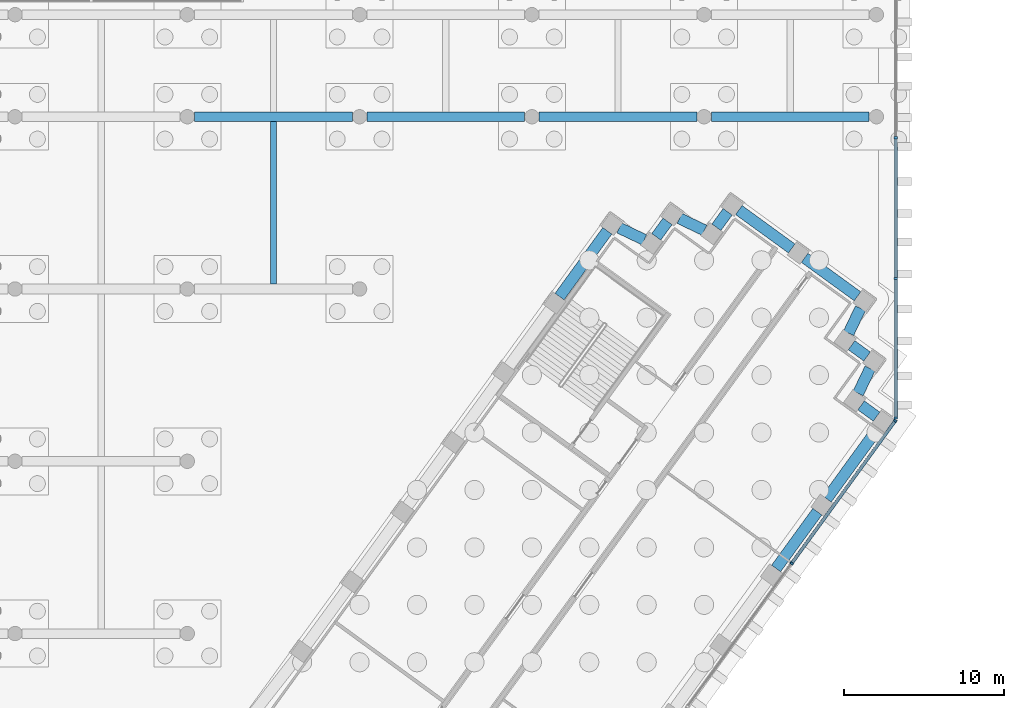
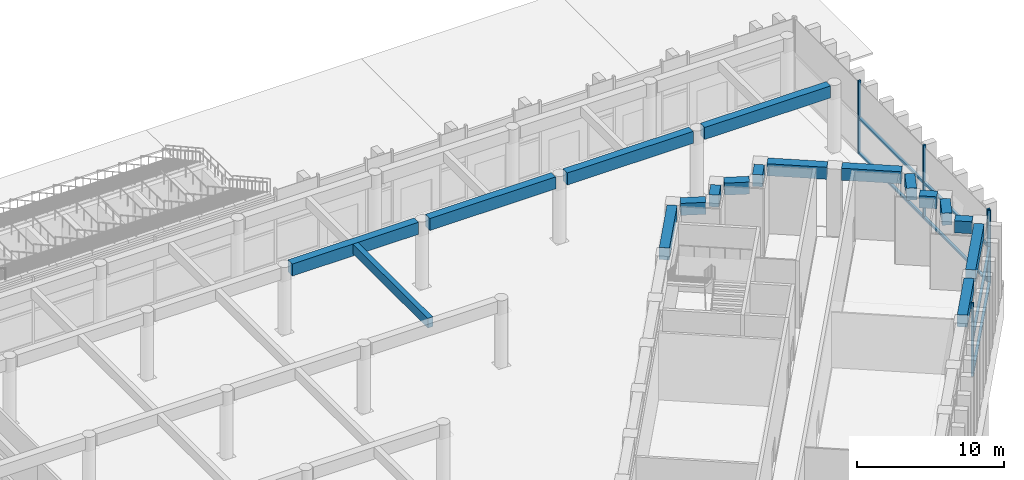
# One storey, part 9 of 32: 18 beams, 11 members, 2 elements without a shape of their own.
"""IFC4 building model written with IfcOpenShell, lengths in metres."""

import ifcopenshell
import ifcopenshell.guid

model = None  # the IFC model being written
_history = None  # IfcOwnerHistory: only IFC2X3 demands one
_inside = {}  # id of a spatial element -> (the spatial element, [elements in it])
_under = {}  # id of a project, library or spatial element -> (it, [spatial elements below it])
_declared = {}  # id of a project -> (the project, [libraries it declares])
_typed = {}  # id of a type object -> (the type object, [elements of that type])
_made_of = {}  # id of a material, layer set ... -> (it, [elements and type objects made of it])


def new_model(schema):
    """Start an empty IFC model of exactly this schema.

    Asked for "IFC4X3", IfcOpenShell would pick the latest addendum, in which some entities
    have other attributes; the version numbers below select the first issue.
    IFC2X3 requires an IfcOwnerHistory on every rooted entity: one is made here for all.
    """
    global model, _history
    if schema == "IFC4X3":
        model = ifcopenshell.file(schema_version=(4, 3, 0, 0))
    else:
        model = ifcopenshell.file(schema=schema)
    _inside.clear()
    _under.clear()
    _declared.clear()
    _typed.clear()
    _made_of.clear()
    _history = None
    if model.schema == "IFC2X3":
        org = make("IfcOrganization", Name="unknown")
        user = make(
            "IfcPersonAndOrganization",
            ThePerson=make("IfcPerson", FamilyName="unknown"),
            TheOrganization=org,
        )
        app = make(
            "IfcApplication",
            ApplicationDeveloper=org,
            Version="unknown",
            ApplicationFullName="unknown",
            ApplicationIdentifier="unknown",
        )
        _history = make(
            "IfcOwnerHistory",
            OwningUser=user,
            OwningApplication=app,
            ChangeAction="ADDED",
            CreationDate=0,
        )
    return model


def make(cls, **values):
    """One entity of the class cls with the attributes given. An attribute that is None is left unset."""
    return model.create_entity(
        cls, **{name: value for name, value in values.items() if value is not None}
    )


def rooted(cls, **values):
    """An entity with a GlobalId (a new one), such as an element, a storey or a relation."""
    return make(cls, GlobalId=ifcopenshell.guid.new(), OwnerHistory=_history, **values)


def si_unit(unit_type, name, prefix=None):
    """IfcSIUnit, for example si_unit("LENGTHUNIT", "METRE", prefix="MILLI")."""
    return make("IfcSIUnit", UnitType=unit_type, Prefix=prefix, Name=name)


def assignment(units):
    """IfcUnitAssignment: the units of a project."""
    return None if units is None else make("IfcUnitAssignment", Units=units)


def point(xyz):
    """IfcCartesianPoint."""
    return None if xyz is None else make("IfcCartesianPoint", Coordinates=xyz)


def direction(xyz):
    """IfcDirection."""
    return None if xyz is None else make("IfcDirection", DirectionRatios=xyz)


def frame(location, z_axis=None, x_axis=None):
    """IfcAxis2Placement3D, a coordinate frame: its origin and axes. An axis left out is left unset."""
    return make(
        "IfcAxis2Placement3D",
        Location=point(location),
        Axis=direction(z_axis),
        RefDirection=direction(x_axis),
    )


def frame_2d(location, x_axis=None):
    """IfcAxis2Placement2D, a coordinate frame in the plane: its origin and x axis."""
    return make(
        "IfcAxis2Placement2D", Location=point(location), RefDirection=direction(x_axis)
    )


def origin():
    """The frame at (0, 0, 0) with its axes left unset."""
    return frame((0.0, 0.0, 0.0))


def origin_2d():
    """The frame at (0, 0) in the plane with its x axis left unset."""
    return frame_2d((0.0, 0.0))


def place(relative_to, where):
    """IfcLocalPlacement: puts the frame where relative to a parent placement (None: the world)."""
    return make(
        "IfcLocalPlacement", PlacementRelTo=relative_to, RelativePlacement=where
    )


def context(
    kind, dimensions, precision=None, world=None, true_north=None, identifier=None
):
    """IfcGeometricRepresentationContext, for example the 3D "Model" context."""
    return make(
        "IfcGeometricRepresentationContext",
        ContextIdentifier=identifier,
        ContextType=kind,
        CoordinateSpaceDimension=dimensions,
        Precision=precision,
        WorldCoordinateSystem=world,
        TrueNorth=true_north,
    )


def subcontext(parent, identifier, kind, view, scale=None):
    """IfcGeometricRepresentationSubContext, for example "Body" below "Model"."""
    return make(
        "IfcGeometricRepresentationSubContext",
        ContextIdentifier=identifier,
        ContextType=kind,
        ParentContext=parent,
        TargetScale=scale,
        TargetView=view,
    )


def project(units=None, contexts=None):
    """IfcProject with its units and contexts."""
    return rooted(
        "IfcProject",
        Name="project",
        RepresentationContexts=contexts,
        UnitsInContext=assignment(units),
    )


def spatial(cls, under=None, at=None, **own):
    """A site, building, storey or space (cls), placed at a placement, below another one or the project."""
    s = rooted(cls, ObjectPlacement=at, **own)
    if under is not None:
        _under.setdefault(under.id(), (under, []))[1].append(s)
    return s


def profile(cls, at=None, kind="AREA", **sizes):
    """A parametric profile (cls). Its sizes go by their IFC names, for example OverallWidth=200.0."""
    return make(cls, ProfileType=kind, Position=at, **sizes)


def rectangle(**sizes):
    """IfcRectangleProfileDef."""
    return profile("IfcRectangleProfileDef", **sizes)


def extrude(swept, where, along, depth):
    """IfcExtrudedAreaSolid: the profile swept, set in the frame where, extruded along a direction by depth."""
    return make(
        "IfcExtrudedAreaSolid",
        SweptArea=swept,
        Position=where,
        ExtrudedDirection=direction(along),
        Depth=depth,
    )


def shape(context_of_items, identifier, shape_type, items):
    """IfcShapeRepresentation: the items that make up one representation, for example the "Body"."""
    return make(
        "IfcShapeRepresentation",
        ContextOfItems=context_of_items,
        RepresentationIdentifier=identifier,
        RepresentationType=shape_type,
        Items=items,
    )


def material(Name=None, Category=None):
    """IfcMaterial."""
    return make("IfcMaterial", Name=Name, Category=Category)


def material_profile(
    of_material, cross_section, Name=None, Category=None, Priority=None
):
    """IfcMaterialProfile: a cross section and its material."""
    return make(
        "IfcMaterialProfile",
        Name=Name,
        Material=of_material,
        Profile=cross_section,
        Priority=Priority,
        Category=Category,
    )


def profile_set(profiles, Name=None, composite=None):
    """IfcMaterialProfileSet."""
    return make(
        "IfcMaterialProfileSet",
        Name=Name,
        MaterialProfiles=profiles,
        CompositeProfile=composite,
    )


def made_of(thing, what):
    """Note that an element or type object is made of a material, layer set ...; save() writes the relation."""
    if what is not None:
        _made_of.setdefault(what.id(), (what, []))[1].append(thing)
    return thing


def type_object(cls, material=None, **own):
    """A type object (cls), such as IfcWallType, which elements share."""
    return made_of(rooted(cls, **own), material)


def element(
    cls,
    number,
    at=None,
    inside=None,
    cuts=None,
    type_object=None,
    material=None,
    context=None,
    identifier="Body",
    shape_type=None,
    held_by="IfcProductDefinitionShape",
    body=None,
    shapes=None,
    **own,
):
    """One element of the class cls, such as IfcWall. Its Tag is "e" and its number.

    at: its placement. inside: the storey or other place that contains it. cuts: it is an
    opening in that element (IfcRelVoidsElement). A single representation is given by context,
    identifier, shape_type and body (its items); several are given by shapes. held_by: the class
    of the entity that holds the representations. save() writes the other relations.
    """
    e = rooted(cls, Tag="e%d" % number, ObjectPlacement=at, **own)
    if body is not None:
        shapes = [shape(context, identifier, shape_type, body)]
    if shapes is not None:
        e.Representation = make(held_by, Representations=shapes)
    if inside is not None:
        _inside.setdefault(inside.id(), (inside, []))[1].append(e)
    if cuts is not None:
        rooted(
            "IfcRelVoidsElement", RelatingBuildingElement=cuts, RelatedOpeningElement=e
        )
    if type_object is not None:
        _typed.setdefault(type_object.id(), (type_object, []))[1].append(e)
    return made_of(e, material)


def aggregate(whole, parts):
    """IfcRelAggregates: a whole, such as a stair, and the parts it consists of."""
    return rooted("IfcRelAggregates", RelatingObject=whole, RelatedObjects=parts)


def save(model, path):
    """Write the relations noted so far, then the file.

    IfcRelAggregates (storeys below a building ...), IfcRelContainedInSpatialStructure (elements
    in a storey), IfcRelDefinesByType, IfcRelAssociatesMaterial and IfcRelDeclares: one each for
    every whole, place, type object, material and project.
    """
    for whole, parts in _under.values():
        aggregate(whole, parts)
    for where, things in _inside.values():
        rooted(
            "IfcRelContainedInSpatialStructure",
            RelatedElements=things,
            RelatingStructure=where,
        )
    for kind, things in _typed.values():
        rooted("IfcRelDefinesByType", RelatedObjects=things, RelatingType=kind)
    for what, things in _made_of.values():
        rooted("IfcRelAssociatesMaterial", RelatedObjects=things, RelatingMaterial=what)
    for by, libraries in _declared.values():
        rooted("IfcRelDeclares", RelatingContext=by, RelatedDefinitions=libraries)
    model.write(path)


model = new_model("IFC4")

# Units and contexts
model_context = context("Model", 3, precision=1e-05, world=origin(), true_north=direction((0.0, 1.0)))
body_context = subcontext(model_context, "Body", "Model", "MODEL_VIEW")
ifc_project = project(units=[si_unit("LENGTHUNIT", "METRE"), si_unit("AREAUNIT", "SQUARE_METRE"), si_unit("VOLUMEUNIT", "CUBIC_METRE"), si_unit("PLANEANGLEUNIT", "RADIAN"), si_unit("MASSUNIT", "GRAM", prefix="KILO")], contexts=[model_context])

# Site, building, storey
site_placement = place(None, origin())
site = spatial("IfcSite", under=ifc_project, at=site_placement, CompositionType="ELEMENT")
building_placement = place(site_placement, origin())
building = spatial("IfcBuilding", under=site, at=building_placement, Name="Quipu Civic Tower", CompositionType="ELEMENT")
storey_placement = place(building_placement, origin())
storey = spatial("IfcBuildingStorey", under=building, at=storey_placement, Name="L00", CompositionType="ELEMENT", Elevation=0.0)

# Beams
ifc_material_1 = material(Name="Concrete C50/60", Category="concrete")
ifc_material_profile_1 = material_profile(ifc_material_1, rectangle(XDim=0.39990234375, YDim=0.800048828125, at=origin_2d()), Name="RC400x800")
ifc_profile_set_1 = profile_set([ifc_material_profile_1], Name="Concrete C50/60")
beam_type_1 = type_object("IfcBeamType", Name="Deck beam RC 400x800 C50/60", PredefinedType="BEAM", material=ifc_profile_set_1)
beam_1_placement = place(storey_placement, frame((16.199951171875, 38.10009765625, 5.199951171875), z_axis=(0.0, 1.0, 0.0), x_axis=(-1.0, 0.0, 0.0)))
element("IfcBeam", 1, at=beam_1_placement, inside=storey, type_object=beam_type_1, Name="Deck beam 3 38", PredefinedType="BEAM", context=body_context, shape_type="SweptSolid", body=[
    extrude(rectangle(XDim=0.39990234375, YDim=0.800048828125, at=origin_2d()), origin(), (0.0, 0.0, 1.0), 10.199951171875),
])
ifc_material_2 = material(Name="Concrete C50/60", Category="concrete")
ifc_material_profile_2 = material_profile(ifc_material_2, rectangle(XDim=0.60009765625, YDim=1.0, at=origin_2d()), Name="RC600x1000")
ifc_profile_set_2 = profile_set([ifc_material_profile_2], Name="Concrete C50/60")
beam_type_2 = type_object("IfcBeamType", Name="Deck girder RC 600x1000 C50/60", PredefinedType="BEAM", material=ifc_profile_set_2)
for number, where, z_axis, x_axis, name in (
    (2, (11.25, 48.60009765625, 5.10009765625), (1.0, 0.0, 0.0), (0.0, 1.0, 0.0), "Deck girder 2 49"),
    (3, (22.050048828125, 48.60009765625, 5.10009765625), (1.0, 0.0, 0.0), (0.0, 1.0, 0.0), "Deck girder 4 49"),
    (4, (32.85009765625, 48.60009765625, 5.10009765625), (1.0, 0.0, 0.0), (0.0, 1.0, 0.0), "Deck girder 6 49"),
):
    element("IfcBeam", number, at=place(storey_placement, frame(where, z_axis=z_axis, x_axis=x_axis)), inside=storey, type_object=beam_type_2, Name=name, PredefinedType="BEAM", context=body_context, shape_type="SweptSolid", body=[
        extrude(rectangle(XDim=0.60009765625, YDim=1.0, at=origin_2d()), origin(), (0.0, 0.0, 1.0), 9.89990234375),
    ])
beam_2_placement = place(storey_placement, frame((43.64990234375, 48.60009765625, 5.10009765625), z_axis=(1.0, 0.0, 0.0), x_axis=(0.0, 1.0, 0.0)))
element("IfcBeam", 5, at=beam_2_placement, inside=storey, type_object=beam_type_2, Name="Deck girder 8 49", PredefinedType="BEAM", context=body_context, shape_type="SweptSolid", body=[
    extrude(rectangle(XDim=0.60009765625, YDim=1.0, at=origin_2d()), origin(), (0.0, 0.0, 1.0), 9.900146484375),
])

# Curtain wall, members
ifc_material_3 = material(Name="Insulated glass unit", Category="glass")
curtain_wall_type = type_object("IfcCurtainWallType", Name="Hall glazing CW2", PredefinedType="NOTDEFINED", material=ifc_material_3)
curtain_wall_1_placement = place(storey_placement, origin())
curtain_wall_1 = element("IfcCurtainWall", 6, at=curtain_wall_1_placement, inside=storey, type_object=curtain_wall_type, Name="Hall glazing CW2 L00 run 1", PredefinedType="NOTDEFINED")
ifc_material_4 = material(Name="Anodised aluminium", Category="aluminium")
ifc_material_profile_3 = material_profile(ifc_material_4, rectangle(XDim=0.199951171875, YDim=0.139892578125, at=origin_2d()), Name="RECT 200x140")
ifc_profile_set_3 = profile_set([ifc_material_profile_3], Name="Anodised aluminium")
member_type_1 = type_object("IfcMemberType", Name="Mullion CW2", PredefinedType="MULLION", material=ifc_profile_set_3)
member_1_placement = place(storey_placement, frame((48.691162109375, 20.60546875, 0.0), z_axis=(0.0, 0.0, 1.0), x_axis=(-0.809017581064, 0.587784444783, 0.0)))
member_1 = element("IfcMember", 7, at=member_1_placement, type_object=member_type_1, Name="CW2 mullion 4", PredefinedType="MULLION", context=body_context, shape_type="SweptSolid", body=[
    extrude(rectangle(XDim=0.199951171875, YDim=0.139892578125, at=origin_2d()), origin(), (0.0, 0.0, 1.0), 6.090087890625),
])
member_2_placement = place(storey_placement, frame((55.178466796875, 29.53466796875, 0.0), z_axis=(0.0, 0.0, 1.0), x_axis=(-0.809017581064, 0.587784444783, 0.0)))
member_2 = element("IfcMember", 8, at=member_2_placement, type_object=member_type_1, Name="CW2 mullion 5", PredefinedType="MULLION", context=body_context, shape_type="SweptSolid", body=[
    extrude(rectangle(XDim=0.199951171875, YDim=0.139892578125, at=origin_2d()), origin(), (0.0, 0.0, 1.0), 6.090087890625),
])

curtain_wall_2_placement = place(storey_placement, origin())
curtain_wall_2 = element("IfcCurtainWall", 9, at=curtain_wall_2_placement, inside=storey, type_object=curtain_wall_type, Name="Hall glazing CW2 L00 run 4", PredefinedType="NOTDEFINED")
member_3_placement = place(storey_placement, frame((55.21435546875, 29.71240234375, 0.0), z_axis=(0.0, 0.0, 1.0), x_axis=(-1.0, 0.0, 0.0)))
member_3 = element("IfcMember", 10, at=member_3_placement, type_object=member_type_1, Name="CW2 mullion 1", PredefinedType="MULLION", context=body_context, shape_type="SweptSolid", body=[
    extrude(rectangle(XDim=0.199951171875, YDim=0.139892578125, at=origin_2d()), origin(), (0.0, 0.0, 1.0), 6.090087890625),
])
member_4_placement = place(storey_placement, frame((55.21435546875, 38.461669921875, 0.0), z_axis=(0.0, 0.0, 1.0), x_axis=(-1.0, 0.0, 0.0)))
member_4 = element("IfcMember", 11, at=member_4_placement, type_object=member_type_1, Name="CW2 mullion 2", PredefinedType="MULLION", context=body_context, shape_type="SweptSolid", body=[
    extrude(rectangle(XDim=0.199951171875, YDim=0.139892578125, at=origin_2d()), origin(), (0.0, 0.0, 1.0), 6.090087890625),
])
member_5_placement = place(storey_placement, frame((55.21435546875, 47.28076171875, 0.0), z_axis=(0.0, 0.0, 1.0), x_axis=(-1.0, 0.0, 0.0)))
member_5 = element("IfcMember", 12, at=member_5_placement, type_object=member_type_1, Name="CW2 mullion 3", PredefinedType="MULLION", context=body_context, shape_type="SweptSolid", body=[
    extrude(rectangle(XDim=0.199951171875, YDim=0.139892578125, at=origin_2d()), origin(), (0.0, 0.0, 1.0), 6.090087890625),
])

# Beams
ifc_material_5 = material(Name="Concrete C50/60", Category="concrete")
ifc_material_profile_4 = material_profile(ifc_material_5, rectangle(XDim=0.699951171875, YDim=1.0, at=origin_2d()), Name="RC700x1000")
ifc_profile_set_4 = profile_set([ifc_material_profile_4], Name="Concrete C50/60")
beam_type_3 = type_object("IfcBeamType", Name="Spandrel beam RC 700x1000 C50/60", PredefinedType="SPANDREL", material=ifc_profile_set_4)
beam_3_placement = place(storey_placement, frame((47.71240234375, 20.279296875, 5.10009765625), z_axis=(0.587759228046, 0.809035901457, 0.0), x_axis=(-0.809035901457, 0.587759228046, 0.0)))
element("IfcBeam", 13, at=beam_3_placement, inside=storey, type_object=beam_type_3, Name="Spandrel beam L00 E-OUT-06 to E-OUT-07", PredefinedType="SPANDREL", context=body_context, shape_type="SweptSolid", body=[
    extrude(rectangle(XDim=0.699951171875, YDim=1.0, at=origin_2d()), origin(), (0.0, 0.0, 1.0), 4.400146484375),
])
beam_4_placement = place(storey_placement, frame((50.88623046875, 24.64794921875, 5.10009765625), z_axis=(0.587765432916, 0.809031393624, 0.0), x_axis=(-0.809031393624, 0.587765432916, 0.0)))
element("IfcBeam", 14, at=beam_4_placement, inside=storey, type_object=beam_type_3, Name="Spandrel beam L00 E-OUT-07 to T-Eo.0-E50", PredefinedType="SPANDREL", context=body_context, shape_type="SweptSolid", body=[
    extrude(rectangle(XDim=0.699951171875, YDim=1.0, at=origin_2d()), origin(), (0.0, 0.0, 1.0), 5.503662109375),
])
beam_5_placement = place(storey_placement, frame((54.0107421875, 29.79931640625, 5.10009765625), z_axis=(-0.808630508091, 0.588316837584, 0.0), x_axis=(-0.588316837584, -0.808630508091, 0.0)))
element("IfcBeam", 15, at=beam_5_placement, inside=storey, type_object=beam_type_3, Name="Spandrel beam L00 T-Eo.0-E50 to T-Eo.1-E50", PredefinedType="SPANDREL", context=body_context, shape_type="SweptSolid", body=[
    extrude(rectangle(XDim=0.699951171875, YDim=1.0, at=origin_2d()), origin(), (0.0, 0.0, 1.0), 1.2001953125),
])
beam_6_placement = place(storey_placement, frame((52.85546875, 31.258056640625, 5.10009765625), z_axis=(0.431370473785, 0.902174880135, 0.0), x_axis=(-0.902174880135, 0.431370473785, 0.0)))
element("IfcBeam", 16, at=beam_6_placement, inside=storey, type_object=beam_type_3, Name="Spandrel beam L00 T-Eo.1-E50 to T-Eo.2-E50", PredefinedType="SPANDREL", context=body_context, shape_type="SweptSolid", body=[
    extrude(rectangle(XDim=0.699951171875, YDim=1.0, at=origin_2d()), origin(), (0.0, 0.0, 1.0), 1.727294921875),
])
beam_7_placement = place(storey_placement, frame((53.415771484375, 33.569091796875, 5.10009765625), z_axis=(-0.808586856323, 0.588376831446, 0.0), x_axis=(-0.588376831446, -0.808586856323, 0.0)))
element("IfcBeam", 17, at=beam_7_placement, inside=storey, type_object=beam_type_3, Name="Spandrel beam L00 T-Eo.2-E50 to T-Eo.3-E50", PredefinedType="SPANDREL", context=body_context, shape_type="SweptSolid", body=[
    extrude(rectangle(XDim=0.699951171875, YDim=1.0, at=origin_2d()), origin(), (0.0, 0.0, 1.0), 1.202880859375),
])
beam_8_placement = place(storey_placement, frame((52.257568359375, 35.0302734375, 5.10009765625), z_axis=(0.430185740912, 0.902740399182, 0.0), x_axis=(-0.902740399182, 0.430185740912, 0.0)))
element("IfcBeam", 18, at=beam_8_placement, inside=storey, type_object=beam_type_3, Name="Spandrel beam L00 T-Eo.3-E50 to T-Eo.4-E50", PredefinedType="SPANDREL", context=body_context, shape_type="SweptSolid", body=[
    extrude(rectangle(XDim=0.699951171875, YDim=1.0, at=origin_2d()), origin(), (0.0, 0.0, 1.0), 1.728759765625),
])
beam_9_placement = place(storey_placement, frame((52.8154296875, 37.343994140625, 5.10009765625), z_axis=(-0.808980758408, 0.587835123589, 0.0), x_axis=(-0.587835123589, -0.808980758408, 0.0)))
element("IfcBeam", 19, at=beam_9_placement, inside=storey, type_object=beam_type_3, Name="Spandrel beam L00 T-Eo.4-E50 to TIP-E-01-E50", PredefinedType="SPANDREL", context=body_context, shape_type="SweptSolid", body=[
    extrude(rectangle(XDim=0.699951171875, YDim=1.0, at=origin_2d()), origin(), (0.0, 0.0, 1.0), 4.097900390625),
])
beam_10_placement = place(storey_placement, frame((48.69140625, 40.3408203125, 5.10009765625), z_axis=(-0.808983206573, 0.587831754401, 0.0), x_axis=(-0.587831754401, -0.808983206573, 0.0)))
element("IfcBeam", 20, at=beam_10_placement, inside=storey, type_object=beam_type_3, Name="Spandrel beam L00 TIP-E-01-E50 to T-Ei.0-E50", PredefinedType="SPANDREL", context=body_context, shape_type="SweptSolid", body=[
    extrude(rectangle(XDim=0.699951171875, YDim=1.0, at=origin_2d()), origin(), (0.0, 0.0, 1.0), 4.10009765625),
])
beam_11_placement = place(storey_placement, frame((44.67578125, 42.640625, 5.10009765625), z_axis=(-0.588461629015, -0.808525145667, 0.0), x_axis=(0.808525145667, -0.588461629015, 0.0)))
element("IfcBeam", 21, at=beam_11_placement, inside=storey, type_object=beam_type_3, Name="Spandrel beam L00 T-Ei.0-E50 to T-Ei.1-E50", PredefinedType="SPANDREL", context=body_context, shape_type="SweptSolid", body=[
    extrude(rectangle(XDim=0.699951171875, YDim=1.0, at=origin_2d()), origin(), (0.0, 0.0, 1.0), 1.201416015625),
])
beam_12_placement = place(storey_placement, frame((43.215576171875, 41.48388671875, 5.10009765625), z_axis=(-0.902651065962, 0.430373155666, 0.0), x_axis=(-0.430373155666, -0.902651065962, 0.0)))
element("IfcBeam", 22, at=beam_12_placement, inside=storey, type_object=beam_type_3, Name="Spandrel beam L00 T-Ei.1-E50 to T-Ei.2-E50", PredefinedType="SPANDREL", context=body_context, shape_type="SweptSolid", body=[
    extrude(rectangle(XDim=0.699951171875, YDim=1.0, at=origin_2d()), origin(), (0.0, 0.0, 1.0), 1.724609375),
])
beam_13_placement = place(storey_placement, frame((40.90576171875, 42.040771484375, 5.10009765625), z_axis=(-0.588316837584, -0.808630508091, 0.0), x_axis=(0.808630508091, -0.588316837584, 0.0)))
element("IfcBeam", 23, at=beam_13_placement, inside=storey, type_object=beam_type_3, Name="Spandrel beam L00 T-Ei.2-E50 to T-Ei.3-E50", PredefinedType="SPANDREL", context=body_context, shape_type="SweptSolid", body=[
    extrude(rectangle(XDim=0.699951171875, YDim=1.0, at=origin_2d()), origin(), (0.0, 0.0, 1.0), 1.2001953125),
])
beam_14_placement = place(storey_placement, frame((39.446533203125, 40.885009765625, 5.10009765625), z_axis=(-0.902482283387, 0.43072697637, 0.0), x_axis=(-0.43072697637, -0.902482283387, 0.0)))
element("IfcBeam", 24, at=beam_14_placement, inside=storey, type_object=beam_type_3, Name="Spandrel beam L00 T-Ei.3-E50 to T-Ei.4-E50", PredefinedType="SPANDREL", context=body_context, shape_type="SweptSolid", body=[
    extrude(rectangle(XDim=0.699951171875, YDim=1.0, at=origin_2d()), origin(), (0.0, 0.0, 1.0), 1.731689453125),
])
beam_15_placement = place(storey_placement, frame((37.131103515625, 41.445556640625, 5.10009765625), z_axis=(-0.587747065363, -0.809044737426, 0.0), x_axis=(0.809044737426, -0.587747065363, 0.0)))
element("IfcBeam", 25, at=beam_15_placement, inside=storey, type_object=beam_type_3, Name="Spandrel beam L00 T-Ei.4-E50 to E-IN-06", PredefinedType="SPANDREL", context=body_context, shape_type="SweptSolid", body=[
    extrude(rectangle(XDim=0.699951171875, YDim=1.0, at=origin_2d()), origin(), (0.0, 0.0, 1.0), 5.0947265625),
])

# Member
ifc_material_6 = material(Name="Anodised aluminium", Category="aluminium")
ifc_material_profile_5 = material_profile(ifc_material_6, rectangle(XDim=0.199951171875, YDim=0.179931640625, at=origin_2d()), Name="RECT 200x180")
ifc_profile_set_5 = profile_set([ifc_material_profile_5], Name="Anodised aluminium")
member_type_2 = type_object("IfcMemberType", Name="Transom CW2", PredefinedType="USERDEFINED", material=ifc_profile_set_5)
member_6_placement = place(storey_placement, frame((48.732421875, 20.662109375, 0.090087890625), z_axis=(0.587763979163, 0.809032449781, 0.0), x_axis=(-0.809032449781, 0.587763979163, 0.0)))
member_6 = element("IfcMember", 26, at=member_6_placement, type_object=member_type_2, Name="CW2 transom 4.1", ObjectType="TRANSOM", PredefinedType="USERDEFINED", context=body_context, shape_type="SweptSolid", body=[
    extrude(rectangle(XDim=0.199951171875, YDim=0.179931640625, at=origin_2d()), origin(), (0.0, 0.0, 1.0), 10.89697265625),
])

member_7_placement = place(storey_placement, frame((48.732421875, 20.662109375, 3.0), z_axis=(0.587763979163, 0.809032449781, 0.0), x_axis=(-0.809032449781, 0.587763979163, 0.0)))
member_7 = element("IfcMember", 27, at=member_7_placement, type_object=member_type_2, Name="CW2 transom 4.2", ObjectType="TRANSOM", PredefinedType="USERDEFINED", context=body_context, shape_type="SweptSolid", body=[
    extrude(rectangle(XDim=0.199951171875, YDim=0.179931640625, at=origin_2d()), origin(), (0.0, 0.0, 1.0), 10.89697265625),
])

aggregate(curtain_wall_1, [member_1, member_2, member_6, member_7])

member_8_placement = place(storey_placement, frame((55.21435546875, 29.782470703125, 0.090087890625), z_axis=(0.0, 1.0, 0.0), x_axis=(-1.0, 0.0, 0.0)))
member_8 = element("IfcMember", 28, at=member_8_placement, type_object=member_type_2, Name="CW2 transom 1.1", ObjectType="TRANSOM", PredefinedType="USERDEFINED", context=body_context, shape_type="SweptSolid", body=[
    extrude(rectangle(XDim=0.199951171875, YDim=0.179931640625, at=origin_2d()), origin(), (0.0, 0.0, 1.0), 8.609130859375),
])

member_9_placement = place(storey_placement, frame((55.21435546875, 29.782470703125, 3.0), z_axis=(0.0, 1.0, 0.0), x_axis=(-1.0, 0.0, 0.0)))
member_9 = element("IfcMember", 29, at=member_9_placement, type_object=member_type_2, Name="CW2 transom 1.2", ObjectType="TRANSOM", PredefinedType="USERDEFINED", context=body_context, shape_type="SweptSolid", body=[
    extrude(rectangle(XDim=0.199951171875, YDim=0.179931640625, at=origin_2d()), origin(), (0.0, 0.0, 1.0), 8.609130859375),
])

member_10_placement = place(storey_placement, frame((55.21435546875, 38.531494140625, 0.090087890625), z_axis=(0.0, 1.0, 0.0), x_axis=(-1.0, 0.0, 0.0)))
member_10 = element("IfcMember", 30, at=member_10_placement, type_object=member_type_2, Name="CW2 transom 2.1", ObjectType="TRANSOM", PredefinedType="USERDEFINED", context=body_context, shape_type="SweptSolid", body=[
    extrude(rectangle(XDim=0.199951171875, YDim=0.179931640625, at=origin_2d()), origin(), (0.0, 0.0, 1.0), 8.67919921875),
])

member_11_placement = place(storey_placement, frame((55.21435546875, 38.531494140625, 3.0), z_axis=(0.0, 1.0, 0.0), x_axis=(-1.0, 0.0, 0.0)))
member_11 = element("IfcMember", 31, at=member_11_placement, type_object=member_type_2, Name="CW2 transom 2.2", ObjectType="TRANSOM", PredefinedType="USERDEFINED", context=body_context, shape_type="SweptSolid", body=[
    extrude(rectangle(XDim=0.199951171875, YDim=0.179931640625, at=origin_2d()), origin(), (0.0, 0.0, 1.0), 8.67919921875),
])

aggregate(curtain_wall_2, [member_3, member_4, member_5, member_8, member_9, member_10, member_11])

save(model, "model.ifc")
